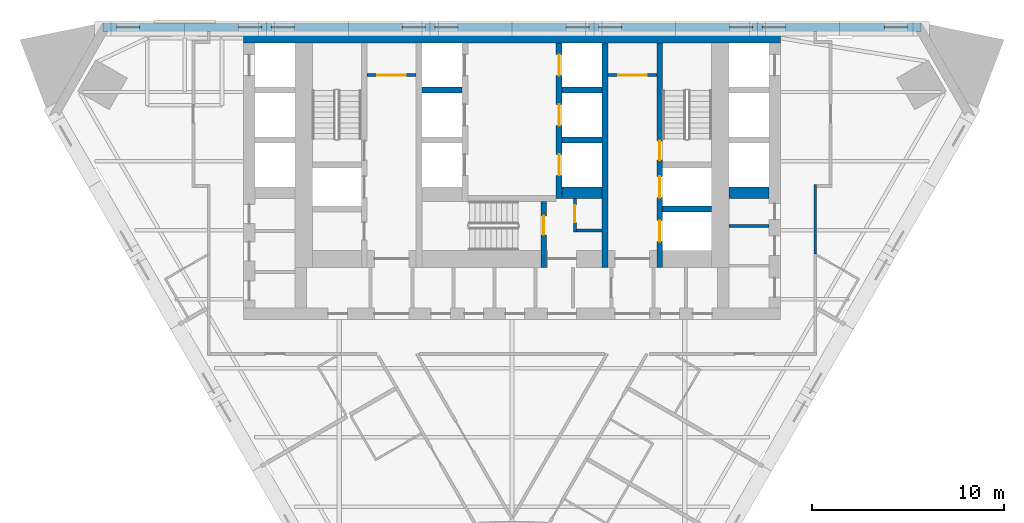
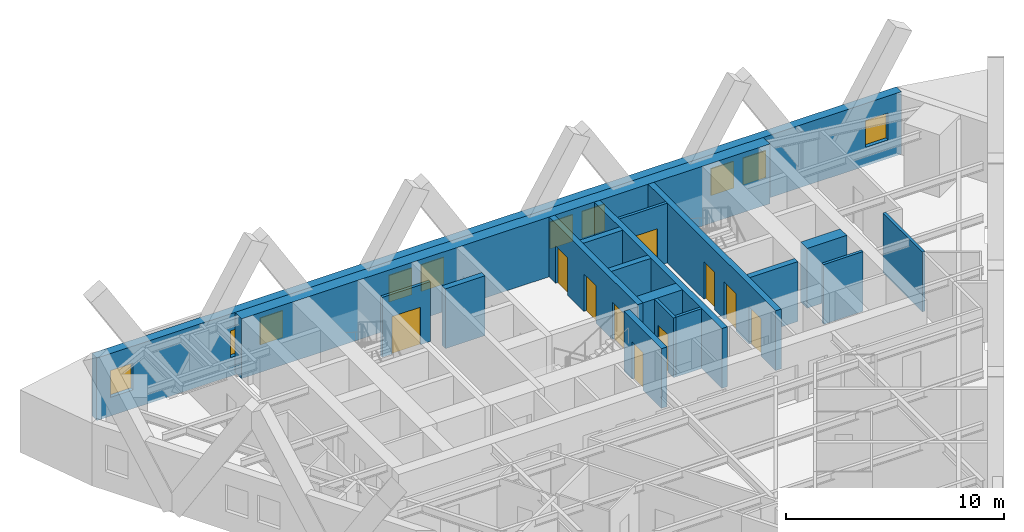
# One storey, part 6 of 8: 18 walls, 10 doors, 10 windows, 20 openings.
"""IFC4 building model written with IfcOpenShell, lengths in metres."""

from ifc_helpers import new_model, si_unit, direction, frame, frame_2d, origin, place, context, subcontext, project, spatial, polyline, rectangle, outline, extrude, material, layer, layer_set, type_object, element, fill, save


model = new_model("IFC4")

# Units and contexts
model_context = context("Model", 3, precision=1e-05, world=origin(), true_north=direction((0.0, 1.0)))
body_context = subcontext(model_context, "Body", "Model", "MODEL_VIEW")
ifc_project = project(units=[si_unit("LENGTHUNIT", "METRE"), si_unit("AREAUNIT", "SQUARE_METRE"), si_unit("VOLUMEUNIT", "CUBIC_METRE"), si_unit("PLANEANGLEUNIT", "RADIAN"), si_unit("MASSUNIT", "GRAM", prefix="KILO")], contexts=[model_context])

# Site, building, storey
site_placement = place(None, origin())
site = spatial("IfcSite", under=ifc_project, at=site_placement, CompositionType="ELEMENT")
building_placement = place(site_placement, origin())
building = spatial("IfcBuilding", under=site, at=building_placement, Name="Aloe Facet Convention Tower", CompositionType="ELEMENT")
storey_placement = place(building_placement, frame((0.0, 0.0, 88.800048828125)))
storey = spatial("IfcBuildingStorey", under=building, at=storey_placement, Name="L21", CompositionType="ELEMENT", Elevation=88.800048828125)

# Wall, opening, door
ifc_material_1 = material(Name="Concrete blockwork partition", Category="masonry")
ifc_layer_1 = layer(ifc_material_1, 0.14990234375)
ifc_layer_set_1 = layer_set([ifc_layer_1], Name="CR-W-PART150")
wall_type_1 = type_object("IfcWallType", Name="CR-W-PART150", PredefinedType="PARTITIONING", material=ifc_layer_set_1)
wall_1_placement = place(storey_placement, frame((72.449951171875, 132.27490234375, 0.0), z_axis=(0.0, 0.0, 1.0), x_axis=(1.0, 0.0, 0.0)))
wall_1 = element("IfcWall", 1, at=wall_1_placement, inside=storey, type_object=wall_type_1, Name="Core partition L21-015", PredefinedType="PARTITIONING", context=body_context, shape_type="SweptSolid", body=[
    extrude(rectangle(XDim=2.550048828125, YDim=0.14990234375, at=frame_2d((1.27490234375, 0.0))), origin(), (0.0, 0.0, 1.0), 3.349853515625),
])
opening_1_placement = place(wall_1_placement, frame((0.52490234375, 0.0, 0.0)))
opening_1 = element("IfcOpeningElement", 2, at=opening_1_placement, cuts=wall_1, Name="Opening L21-CD22", PredefinedType="OPENING", context=body_context, shape_type="SweptSolid", body=[
    extrude(rectangle(XDim=1.5, YDim=2.10009765625, at=frame_2d((0.75, 1.050048828125))), frame((0.0, 0.0849609375, 0.0), z_axis=(0.0, -1.0, 0.0), x_axis=(1.0, 0.0, 0.0)), (0.0, 0.0, 1.0), 0.169921875),
])
ifc_material_2 = material(Name="Steel fire-resisting door set FD60", Category="steel")
door_type_1 = type_object("IfcDoorType", Name="CR-D-REFUGE-1500-FD60-DD", OperationType="DOUBLE_DOOR_DOUBLE_SWING", PredefinedType="DOOR", material=ifc_material_2)
door_1_placement = place(opening_1_placement, origin())
door_1 = element("IfcDoor", 3, at=door_1_placement, inside=storey, type_object=door_type_1, Name="Core door L21-CD22", OperationType="DOUBLE_DOOR_DOUBLE_SWING", OverallHeight=2.10009765625, OverallWidth=1.5, PredefinedType="DOOR", context=body_context, shape_type="SweptSolid", body=[
    extrude(rectangle(XDim=1.5, YDim=2.10009765625, at=frame_2d((0.75, 1.050048828125))), frame((0.0, 0.02490234375, 0.0), z_axis=(0.0, -1.0, 0.0), x_axis=(1.0, 0.0, 0.0)), (0.0, 0.0, 1.0), 0.050048828125),
])
fill(opening_1, door_1)

wall_2_placement = place(storey_placement, frame((83.27490234375, 125.85009765625, 0.0), z_axis=(0.0, 0.0, 1.0), x_axis=(0.0, -1.0, 0.0)))
wall_2 = element("IfcWall", 4, at=wall_2_placement, inside=storey, type_object=wall_type_1, Name="Core partition L21-036", PredefinedType="PARTITIONING", context=body_context, shape_type="SweptSolid", body=[
    extrude(rectangle(XDim=1.75, YDim=0.14990234375, at=frame_2d((0.875, 0.0))), origin(), (0.0, 0.0, 1.0), 3.349853515625),
])
opening_2_placement = place(wall_2_placement, frame((0.35009765625, 0.0, 0.0)))
opening_2 = element("IfcOpeningElement", 5, at=opening_2_placement, cuts=wall_2, Name="Opening L21-CD20", PredefinedType="OPENING", context=body_context, shape_type="SweptSolid", body=[
    extrude(rectangle(XDim=0.89990234375, YDim=2.10009765625, at=frame_2d((0.449951171875, 1.050048828125))), frame((0.0, 0.0849609375, 0.0), z_axis=(0.0, -1.0, 0.0), x_axis=(1.0, 0.0, 0.0)), (0.0, 0.0, 1.0), 0.169921875),
])
ifc_material_3 = material(Name="Steel fire-resisting door set FD60", Category="steel")
door_type_2 = type_object("IfcDoorType", Name="CR-D-REFUGE-900-FD60-SRIGHT", OperationType="SINGLE_SWING_RIGHT", PredefinedType="DOOR", material=ifc_material_3)
door_2_placement = place(opening_2_placement, origin())
door_2 = element("IfcDoor", 6, at=door_2_placement, inside=storey, type_object=door_type_2, Name="Core door L21-CD20", OperationType="SINGLE_SWING_RIGHT", OverallHeight=2.10009765625, OverallWidth=0.89990234375, PredefinedType="DOOR", context=body_context, shape_type="SweptSolid", body=[
    extrude(rectangle(XDim=0.89990234375, YDim=2.10009765625, at=frame_2d((0.449951171875, 1.050048828125))), frame((0.0, 0.02490234375, 0.0), z_axis=(0.0, -1.0, 0.0), x_axis=(1.0, 0.0, 0.0)), (0.0, 0.0, 1.0), 0.050048828125),
])
fill(opening_2, door_2)

# Wall
wall_3_placement = place(storey_placement, frame((83.35009765625, 124.175048828125, 0.0), z_axis=(0.0, 0.0, 1.0), x_axis=(1.0, 0.0, 0.0)))
element("IfcWall", 7, at=wall_3_placement, inside=storey, type_object=wall_type_1, Name="Core partition L21-037", PredefinedType="PARTITIONING", context=body_context, shape_type="SweptSolid", body=[
    extrude(rectangle(XDim=1.349853515625, YDim=0.14990234375, at=frame_2d((0.6748046875, 0.0))), origin(), (0.0, 0.0, 1.0), 3.349853515625),
])

# Wall, opening, door
wall_4_placement = place(storey_placement, frame((85.0, 132.27490234375, 0.0), z_axis=(0.0, 0.0, 1.0), x_axis=(1.0, 0.0, 0.0)))
wall_4 = element("IfcWall", 8, at=wall_4_placement, inside=storey, type_object=wall_type_1, Name="Core partition L21-039", PredefinedType="PARTITIONING", context=body_context, shape_type="SweptSolid", body=[
    extrude(rectangle(XDim=2.550048828125, YDim=0.14990234375, at=frame_2d((1.27490234375, 0.0))), origin(), (0.0, 0.0, 1.0), 3.349853515625),
])
opening_3_placement = place(wall_4_placement, frame((0.52490234375, 0.0, 0.0)))
opening_3 = element("IfcOpeningElement", 9, at=opening_3_placement, cuts=wall_4, Name="Opening L21-CD21", PredefinedType="OPENING", context=body_context, shape_type="SweptSolid", body=[
    extrude(rectangle(XDim=1.5, YDim=2.10009765625, at=frame_2d((0.75, 1.050048828125))), frame((0.0, 0.0849609375, 0.0), z_axis=(0.0, -1.0, 0.0), x_axis=(1.0, 0.0, 0.0)), (0.0, 0.0, 1.0), 0.169921875),
])
door_3_placement = place(opening_3_placement, origin())
door_3 = element("IfcDoor", 10, at=door_3_placement, inside=storey, type_object=door_type_1, Name="Core door L21-CD21", OperationType="DOUBLE_DOOR_DOUBLE_SWING", OverallHeight=2.10009765625, OverallWidth=1.5, PredefinedType="DOOR", context=body_context, shape_type="SweptSolid", body=[
    extrude(rectangle(XDim=1.5, YDim=2.10009765625, at=frame_2d((0.75, 1.050048828125))), frame((0.0, 0.02490234375, 0.0), z_axis=(0.0, -1.0, 0.0), x_axis=(1.0, 0.0, 0.0)), (0.0, 0.0, 1.0), 0.050048828125),
])
fill(opening_3, door_3)

# Walls
wall_5_placement = place(storey_placement, frame((91.300048828125, 124.425048828125, 0.0), z_axis=(0.0, 0.0, 1.0), x_axis=(1.0, 0.0, 0.0)))
element("IfcWall", 11, at=wall_5_placement, inside=storey, type_object=wall_type_1, Name="Core partition L21-053", PredefinedType="PARTITIONING", context=body_context, shape_type="SweptSolid", body=[
    extrude(rectangle(XDim=2.099853515625, YDim=0.14990234375, at=frame_2d((1.0498046875, 0.0))), origin(), (0.0, 0.0, 1.0), 3.349853515625),
])
ifc_material_4 = material(Name="Concrete C70/85", Category="concrete")
ifc_layer_2 = layer(ifc_material_4, 0.300048828125)
ifc_layer_set_2 = layer_set([ifc_layer_2], Name="CR-W-RC300-C7085")
wall_type_2 = type_object("IfcWallType", Name="CR-W-RC300-C7085", PredefinedType="SOLIDWALL", material=ifc_layer_set_2)
wall_6_placement = place(storey_placement, frame((75.300048828125, 131.5, 0.0), z_axis=(0.0, 0.0, 1.0), x_axis=(1.0, 0.0, 0.0)))
element("IfcWall", 12, at=wall_6_placement, inside=storey, type_object=wall_type_2, Name="Core wall L21-020", PredefinedType="SOLIDWALL", context=body_context, shape_type="SweptSolid", body=[
    extrude(rectangle(XDim=2.099853515625, YDim=0.300048828125, at=frame_2d((1.0498046875, 0.0))), origin(), (0.0, 0.0, 1.0), 3.349853515625),
])

# Wall, opening, door
wall_7_placement = place(storey_placement, frame((81.64990234375, 125.699951171875, 0.0), z_axis=(0.0, 0.0, 1.0), x_axis=(0.0, -1.0, 0.0)))
wall_7 = element("IfcWall", 13, at=wall_7_placement, inside=storey, type_object=wall_type_2, Name="Core wall L21-029", PredefinedType="SOLIDWALL", context=body_context, shape_type="SweptSolid", body=[
    extrude(rectangle(XDim=3.449951171875, YDim=0.300048828125, at=frame_2d((1.72509765625, 0.0))), origin(), (0.0, 0.0, 1.0), 3.349853515625),
])
opening_4_placement = place(wall_7_placement, frame((0.75, 0.0, 0.0)))
opening_4 = element("IfcOpeningElement", 14, at=opening_4_placement, cuts=wall_7, Name="Opening L21-CD33", PredefinedType="OPENING", context=body_context, shape_type="SweptSolid", body=[
    extrude(rectangle(XDim=1.0, YDim=2.10009765625, at=frame_2d((0.5, 1.050048828125))), frame((0.0, 0.16015625, 0.0), z_axis=(0.0, -1.0, 0.0), x_axis=(1.0, 0.0, 0.0)), (0.0, 0.0, 1.0), 0.320068359375),
])
ifc_material_5 = material(Name="Steel fire-resisting door set FD120", Category="steel")
door_type_3 = type_object("IfcDoorType", Name="CR-D-STAIR-1000-FD120-SLEFT", OperationType="SINGLE_SWING_LEFT", PredefinedType="DOOR", material=ifc_material_5)
door_4_placement = place(opening_4_placement, origin())
door_4 = element("IfcDoor", 15, at=door_4_placement, inside=storey, type_object=door_type_3, Name="Core door L21-CD33", OperationType="SINGLE_SWING_LEFT", OverallHeight=2.10009765625, OverallWidth=1.0, PredefinedType="DOOR", context=body_context, shape_type="SweptSolid", body=[
    extrude(rectangle(XDim=1.0, YDim=2.10009765625, at=frame_2d((0.5, 1.050048828125))), frame((0.0, 0.02490234375, 0.0), z_axis=(0.0, -1.0, 0.0), x_axis=(1.0, 0.0, 0.0)), (0.0, 0.0, 1.0), 0.050048828125),
])
fill(opening_4, door_4)

# Wall, openings, doors
wall_8_placement = place(storey_placement, frame((82.449951171875, 133.949951171875, 0.0), z_axis=(0.0, 0.0, 1.0), x_axis=(0.0, -1.0, 0.0)))
wall_8 = element("IfcWall", 16, at=wall_8_placement, inside=storey, type_object=wall_type_2, Name="Core wall L21-031", PredefinedType="SOLIDWALL", context=body_context, shape_type="SweptSolid", body=[
    extrude(rectangle(XDim=8.099853515625, YDim=0.300048828125, at=frame_2d((4.0498046875, 0.0))), origin(), (0.0, 0.0, 1.0), 3.349853515625),
])
opening_5_placement = place(wall_8_placement, frame((0.60009765625, 0.0, 0.0)))
opening_5 = element("IfcOpeningElement", 17, at=opening_5_placement, cuts=wall_8, Name="Opening LD-A4-L21", PredefinedType="OPENING", context=body_context, shape_type="SweptSolid", body=[
    extrude(rectangle(XDim=1.10009765625, YDim=2.10009765625, at=frame_2d((0.550048828125, 1.050048828125))), frame((0.0, 0.16015625, 0.0), z_axis=(0.0, -1.0, 0.0), x_axis=(1.0, 0.0, 0.0)), (0.0, 0.0, 1.0), 0.320068359375),
])
opening_6_placement = place(wall_8_placement, frame((3.199951171875, 0.0, 0.0)))
opening_6 = element("IfcOpeningElement", 18, at=opening_6_placement, cuts=wall_8, Name="Opening LD-A5-L21", PredefinedType="OPENING", context=body_context, shape_type="SweptSolid", body=[
    extrude(rectangle(XDim=1.10009765625, YDim=2.10009765625, at=frame_2d((0.550048828125, 1.050048828125))), frame((0.0, 0.16015625, 0.0), z_axis=(0.0, -1.0, 0.0), x_axis=(1.0, 0.0, 0.0)), (0.0, 0.0, 1.0), 0.320068359375),
])
opening_7_placement = place(wall_8_placement, frame((5.800048828125, 0.0, 0.0)))
opening_7 = element("IfcOpeningElement", 19, at=opening_7_placement, cuts=wall_8, Name="Opening LD-A6-L21", PredefinedType="OPENING", context=body_context, shape_type="SweptSolid", body=[
    extrude(rectangle(XDim=1.10009765625, YDim=2.10009765625, at=frame_2d((0.550048828125, 1.050048828125))), frame((0.0, 0.16015625, 0.0), z_axis=(0.0, -1.0, 0.0), x_axis=(1.0, 0.0, 0.0)), (0.0, 0.0, 1.0), 0.320068359375),
])
ifc_material_6 = material(Name="Stainless steel sliding landing door", Category="steel")
door_type_4 = type_object("IfcDoorType", Name="CR-LD-1100-FD60-_LEFT", OperationType="SLIDING_TO_LEFT", PredefinedType="DOOR", material=ifc_material_6)
door_5_placement = place(opening_5_placement, origin())
door_5 = element("IfcDoor", 20, at=door_5_placement, inside=storey, type_object=door_type_4, Name="Landing door A4 L21", OperationType="SLIDING_TO_LEFT", OverallHeight=2.10009765625, OverallWidth=1.10009765625, PredefinedType="DOOR", context=body_context, shape_type="SweptSolid", body=[
    extrude(rectangle(XDim=1.10009765625, YDim=2.10009765625, at=frame_2d((0.550048828125, 1.050048828125))), frame((0.0, 0.02490234375, 0.0), z_axis=(0.0, -1.0, 0.0), x_axis=(1.0, 0.0, 0.0)), (0.0, 0.0, 1.0), 0.050048828125),
])
fill(opening_5, door_5)
door_6_placement = place(opening_6_placement, origin())
door_6 = element("IfcDoor", 21, at=door_6_placement, inside=storey, type_object=door_type_4, Name="Landing door A5 L21", OperationType="SLIDING_TO_LEFT", OverallHeight=2.10009765625, OverallWidth=1.10009765625, PredefinedType="DOOR", context=body_context, shape_type="SweptSolid", body=[
    extrude(rectangle(XDim=1.10009765625, YDim=2.10009765625, at=frame_2d((0.550048828125, 1.050048828125))), frame((0.0, 0.02490234375, 0.0), z_axis=(0.0, -1.0, 0.0), x_axis=(1.0, 0.0, 0.0)), (0.0, 0.0, 1.0), 0.050048828125),
])
fill(opening_6, door_6)
door_7_placement = place(opening_7_placement, origin())
door_7 = element("IfcDoor", 22, at=door_7_placement, inside=storey, type_object=door_type_4, Name="Landing door A6 L21", OperationType="SLIDING_TO_LEFT", OverallHeight=2.10009765625, OverallWidth=1.10009765625, PredefinedType="DOOR", context=body_context, shape_type="SweptSolid", body=[
    extrude(rectangle(XDim=1.10009765625, YDim=2.10009765625, at=frame_2d((0.550048828125, 1.050048828125))), frame((0.0, 0.02490234375, 0.0), z_axis=(0.0, -1.0, 0.0), x_axis=(1.0, 0.0, 0.0)), (0.0, 0.0, 1.0), 0.050048828125),
])
fill(opening_7, door_7)

# Walls
for number, where, z_axis, x_axis, name in (
    (23, (82.60009765625, 131.5, 0.0), (0.0, 0.0, 1.0), (1.0, 0.0, 0.0), "Core wall L21-032"),
    (24, (82.60009765625, 128.89990234375, 0.0), (0.0, 0.0, 1.0), (1.0, 0.0, 0.0), "Core wall L21-033"),
):
    element("IfcWall", number, at=place(storey_placement, frame(where, z_axis=z_axis, x_axis=x_axis)), inside=storey, type_object=wall_type_2, Name=name, PredefinedType="SOLIDWALL", context=body_context, shape_type="SweptSolid", body=[
        extrude(rectangle(XDim=2.099853515625, YDim=0.300048828125, at=frame_2d((1.0498046875, 0.0))), origin(), (0.0, 0.0, 1.0), 3.349853515625),
    ])
wall_9_placement = place(storey_placement, frame((84.85009765625, 133.949951171875, 0.0), z_axis=(0.0, 0.0, 1.0), x_axis=(0.0, -1.0, 0.0)))
element("IfcWall", 25, at=wall_9_placement, inside=storey, type_object=wall_type_2, Name="Core wall L21-038", PredefinedType="SOLIDWALL", context=body_context, shape_type="SweptSolid", body=[
    extrude(rectangle(XDim=11.699951171875, YDim=0.300048828125, at=frame_2d((5.85009765625, 0.0))), origin(), (0.0, 0.0, 1.0), 3.349853515625),
])

# Wall, openings, doors
wall_10_placement = place(storey_placement, frame((87.699951171875, 133.949951171875, 0.0), z_axis=(0.0, 0.0, 1.0), x_axis=(0.0, -1.0, 0.0)))
wall_10 = element("IfcWall", 26, at=wall_10_placement, inside=storey, type_object=wall_type_2, Name="Core wall L21-043", PredefinedType="SOLIDWALL", context=body_context, shape_type="SweptSolid", body=[
    extrude(rectangle(XDim=11.699951171875, YDim=0.300048828125, at=frame_2d((5.85009765625, 0.0))), origin(), (0.0, 0.0, 1.0), 3.349853515625),
])
opening_8_placement = place(wall_10_placement, frame((6.949951171875, 0.0, 0.0)))
opening_8 = element("IfcOpeningElement", 27, at=opening_8_placement, cuts=wall_10, Name="Opening LD-FF2-L21", PredefinedType="OPENING", context=body_context, shape_type="SweptSolid", body=[
    extrude(rectangle(XDim=1.10009765625, YDim=2.10009765625, at=frame_2d((0.550048828125, 1.050048828125))), frame((0.0, 0.16015625, 0.0), z_axis=(0.0, -1.0, 0.0), x_axis=(1.0, 0.0, 0.0)), (0.0, 0.0, 1.0), 0.320068359375),
])
opening_9_placement = place(wall_10_placement, frame((5.10009765625, 0.0, 0.0)))
opening_9 = element("IfcOpeningElement", 28, at=opening_9_placement, cuts=wall_10, Name="Opening L21-CD32", PredefinedType="OPENING", context=body_context, shape_type="SweptSolid", body=[
    extrude(rectangle(XDim=1.0, YDim=2.10009765625, at=frame_2d((0.5, 1.050048828125))), frame((0.0, 0.16015625, 0.0), z_axis=(0.0, -1.0, 0.0), x_axis=(1.0, 0.0, 0.0)), (0.0, 0.0, 1.0), 0.320068359375),
])
opening_10_placement = place(wall_10_placement, frame((9.25, 0.0, 0.0)))
opening_10 = element("IfcOpeningElement", 29, at=opening_10_placement, cuts=wall_10, Name="Opening LD-SV1-L21", PredefinedType="OPENING", context=body_context, shape_type="SweptSolid", body=[
    extrude(rectangle(XDim=1.10009765625, YDim=2.10009765625, at=frame_2d((0.550048828125, 1.050048828125))), frame((0.0, 0.16015625, 0.0), z_axis=(0.0, -1.0, 0.0), x_axis=(1.0, 0.0, 0.0)), (0.0, 0.0, 1.0), 0.320068359375),
])
door_8_placement = place(opening_9_placement, origin())
door_8 = element("IfcDoor", 30, at=door_8_placement, inside=storey, type_object=door_type_3, Name="Core door L21-CD32", OperationType="SINGLE_SWING_LEFT", OverallHeight=2.10009765625, OverallWidth=1.0, PredefinedType="DOOR", context=body_context, shape_type="SweptSolid", body=[
    extrude(rectangle(XDim=1.0, YDim=2.10009765625, at=frame_2d((0.5, 1.050048828125))), frame((0.0, 0.02490234375, 0.0), z_axis=(0.0, -1.0, 0.0), x_axis=(1.0, 0.0, 0.0)), (0.0, 0.0, 1.0), 0.050048828125),
])
fill(opening_9, door_8)
ifc_material_7 = material(Name="Stainless steel sliding landing door", Category="steel")
door_type_5 = type_object("IfcDoorType", Name="CR-LD-1100-FD120-_LEFT", OperationType="SLIDING_TO_LEFT", PredefinedType="DOOR", material=ifc_material_7)
door_9_placement = place(opening_8_placement, origin())
door_9 = element("IfcDoor", 31, at=door_9_placement, inside=storey, type_object=door_type_5, Name="Landing door FF2 L21", OperationType="SLIDING_TO_LEFT", OverallHeight=2.10009765625, OverallWidth=1.10009765625, PredefinedType="DOOR", context=body_context, shape_type="SweptSolid", body=[
    extrude(rectangle(XDim=1.10009765625, YDim=2.10009765625, at=frame_2d((0.550048828125, 1.050048828125))), frame((0.0, 0.02490234375, 0.0), z_axis=(0.0, -1.0, 0.0), x_axis=(1.0, 0.0, 0.0)), (0.0, 0.0, 1.0), 0.050048828125),
])
fill(opening_8, door_9)
door_10_placement = place(opening_10_placement, origin())
door_10 = element("IfcDoor", 32, at=door_10_placement, inside=storey, type_object=door_type_5, Name="Landing door SV1 L21", OperationType="SLIDING_TO_LEFT", OverallHeight=2.10009765625, OverallWidth=1.10009765625, PredefinedType="DOOR", context=body_context, shape_type="SweptSolid", body=[
    extrude(rectangle(XDim=1.10009765625, YDim=2.10009765625, at=frame_2d((0.550048828125, 1.050048828125))), frame((0.0, 0.02490234375, 0.0), z_axis=(0.0, -1.0, 0.0), x_axis=(1.0, 0.0, 0.0)), (0.0, 0.0, 1.0), 0.050048828125),
])
fill(opening_10, door_10)

# Walls
wall_11_placement = place(storey_placement, frame((87.85009765625, 125.300048828125, 0.0), z_axis=(0.0, 0.0, 1.0), x_axis=(1.0, 0.0, 0.0)))
element("IfcWall", 33, at=wall_11_placement, inside=storey, type_object=wall_type_2, Name="Core wall L21-045", PredefinedType="SOLIDWALL", context=body_context, shape_type="SweptSolid", body=[
    extrude(rectangle(XDim=2.5498046875, YDim=0.300048828125, at=frame_2d((1.27490234375, 0.0))), origin(), (0.0, 0.0, 1.0), 3.349853515625),
])
ifc_material_8 = material(Name="Concrete C70/85", Category="concrete")
ifc_layer_3 = layer(ifc_material_8, 0.60009765625)
ifc_layer_set_3 = layer_set([ifc_layer_3], Name="CR-W-RC600-C7085")
wall_type_3 = type_object("IfcWallType", Name="CR-W-RC600-C7085", PredefinedType="SOLIDWALL", material=ifc_layer_set_3)
wall_12_placement = place(storey_placement, frame((66.0, 134.25, 0.0), z_axis=(0.0, 0.0, 1.0), x_axis=(1.0, 0.0, 0.0)))
element("IfcWall", 34, at=wall_12_placement, inside=storey, type_object=wall_type_3, Name="Core wall L21-001", PredefinedType="SOLIDWALL", context=body_context, shape_type="SweptSolid", body=[
    extrude(rectangle(XDim=28.0, YDim=0.60009765625, at=frame_2d((14.0, 0.0))), origin(), (0.0, 0.0, 1.0), 3.349853515625),
])
for number, where, z_axis, x_axis, name in (
    (35, (82.60009765625, 126.14990234375, 0.0), (0.0, 0.0, 1.0), (1.0, 0.0, 0.0), "Core wall L21-034"),
    (36, (91.300048828125, 126.14990234375, 0.0), (0.0, 0.0, 1.0), (1.0, 0.0, 0.0), "Core wall L21-052"),
):
    element("IfcWall", number, at=place(storey_placement, frame(where, z_axis=z_axis, x_axis=x_axis)), inside=storey, type_object=wall_type_3, Name=name, PredefinedType="SOLIDWALL", context=body_context, shape_type="SweptSolid", body=[
        extrude(rectangle(XDim=2.099853515625, YDim=0.60009765625, at=frame_2d((1.0498046875, 0.0))), origin(), (0.0, 0.0, 1.0), 3.349853515625),
    ])

# Wall, openings, windows
ifc_material_9 = material(Name="Precast concrete C40/50", Category="concrete")
ifc_layer_4 = layer(ifc_material_9, 0.449951171875)
ifc_layer_set_4 = layer_set([ifc_layer_4], Name="EV-WALL-STONE")
wall_type_4 = type_object("IfcWallType", Name="EV-WALL-STONE", PredefinedType="SOLIDWALL", material=ifc_layer_set_4)
wall_13_placement = place(storey_placement, frame((101.321533203125, 134.77490234375, -0.150146484375), z_axis=(0.0, 0.0, 1.0), x_axis=(-1.0, 0.0, 0.0)))
wall_13 = element("IfcWall", 37, at=wall_13_placement, inside=storey, type_object=wall_type_4, Name="EW-L21-N01", PredefinedType="SOLIDWALL", context=body_context, shape_type="SweptSolid", body=[
    extrude(outline(polyline([(42.64306640625, 0.0), (42.64306640625, 3.5), (0.0, 3.5), (0.0, 0.0), (42.64306640625, 0.0)])), frame((0.0, 0.22509765625, 0.0), z_axis=(0.0, -1.0, 0.0), x_axis=(1.0, 0.0, 0.0)), (0.0, 0.0, 1.0), 0.449951171875),
])
opening_11_placement = place(wall_13_placement, frame((0.720458984375, 0.0, 1.050048828125)))
opening_11 = element("IfcOpeningElement", 38, at=opening_11_placement, cuts=wall_13, Name="Opening W-L21-N01", PredefinedType="OPENING", context=body_context, shape_type="SweptSolid", body=[
    extrude(rectangle(XDim=1.199951171875, YDim=1.5, at=frame_2d((0.60009765625, 0.75))), frame((0.0, 0.23486328125, 0.0), z_axis=(0.0, -1.0, 0.0), x_axis=(1.0, 0.0, 0.0)), (0.0, 0.0, 1.0), 0.469970703125),
])
opening_12_placement = place(wall_13_placement, frame((7.07861328125, 0.0, 1.050048828125)))
opening_12 = element("IfcOpeningElement", 39, at=opening_12_placement, cuts=wall_13, Name="Opening W-L21-N02", PredefinedType="OPENING", context=body_context, shape_type="SweptSolid", body=[
    extrude(rectangle(XDim=1.199951171875, YDim=1.5, at=frame_2d((0.60009765625, 0.75))), frame((0.0, 0.23486328125, 0.0), z_axis=(0.0, -1.0, 0.0), x_axis=(1.0, 0.0, 0.0)), (0.0, 0.0, 1.0), 0.469970703125),
])
opening_13_placement = place(wall_13_placement, frame((8.778564453125, 0.0, 1.050048828125)))
opening_13 = element("IfcOpeningElement", 40, at=opening_13_placement, cuts=wall_13, Name="Opening W-L21-N03", PredefinedType="OPENING", context=body_context, shape_type="SweptSolid", body=[
    extrude(rectangle(XDim=1.199951171875, YDim=1.5, at=frame_2d((0.60009765625, 0.75))), frame((0.0, 0.23486328125, 0.0), z_axis=(0.0, -1.0, 0.0), x_axis=(1.0, 0.0, 0.0)), (0.0, 0.0, 1.0), 0.469970703125),
])
opening_14_placement = place(wall_13_placement, frame((15.607177734375, 0.0, 1.050048828125)))
opening_14 = element("IfcOpeningElement", 41, at=opening_14_placement, cuts=wall_13, Name="Opening W-L21-N04", PredefinedType="OPENING", context=body_context, shape_type="SweptSolid", body=[
    extrude(rectangle(XDim=1.199951171875, YDim=1.5, at=frame_2d((0.60009765625, 0.75))), frame((0.0, 0.23486328125, 0.0), z_axis=(0.0, -1.0, 0.0), x_axis=(1.0, 0.0, 0.0)), (0.0, 0.0, 1.0), 0.469970703125),
])
opening_15_placement = place(wall_13_placement, frame((17.30712890625, 0.0, 1.050048828125)))
opening_15 = element("IfcOpeningElement", 42, at=opening_15_placement, cuts=wall_13, Name="Opening W-L21-N05", PredefinedType="OPENING", context=body_context, shape_type="SweptSolid", body=[
    extrude(rectangle(XDim=1.199951171875, YDim=1.5, at=frame_2d((0.60009765625, 0.75))), frame((0.0, 0.23486328125, 0.0), z_axis=(0.0, -1.0, 0.0), x_axis=(1.0, 0.0, 0.0)), (0.0, 0.0, 1.0), 0.469970703125),
])
opening_16_placement = place(wall_13_placement, frame((24.1357421875, 0.0, 1.050048828125)))
opening_16 = element("IfcOpeningElement", 43, at=opening_16_placement, cuts=wall_13, Name="Opening W-L21-N06", PredefinedType="OPENING", context=body_context, shape_type="SweptSolid", body=[
    extrude(rectangle(XDim=1.199951171875, YDim=1.5, at=frame_2d((0.60009765625, 0.75))), frame((0.0, 0.23486328125, 0.0), z_axis=(0.0, -1.0, 0.0), x_axis=(1.0, 0.0, 0.0)), (0.0, 0.0, 1.0), 0.469970703125),
])
opening_17_placement = place(wall_13_placement, frame((25.8359375, 0.0, 1.050048828125)))
opening_17 = element("IfcOpeningElement", 44, at=opening_17_placement, cuts=wall_13, Name="Opening W-L21-N07", PredefinedType="OPENING", context=body_context, shape_type="SweptSolid", body=[
    extrude(rectangle(XDim=1.199951171875, YDim=1.5, at=frame_2d((0.60009765625, 0.75))), frame((0.0, 0.23486328125, 0.0), z_axis=(0.0, -1.0, 0.0), x_axis=(1.0, 0.0, 0.0)), (0.0, 0.0, 1.0), 0.469970703125),
])
opening_18_placement = place(wall_13_placement, frame((32.66455078125, 0.0, 1.050048828125)))
opening_18 = element("IfcOpeningElement", 45, at=opening_18_placement, cuts=wall_13, Name="Opening W-L21-N08", PredefinedType="OPENING", context=body_context, shape_type="SweptSolid", body=[
    extrude(rectangle(XDim=1.199951171875, YDim=1.5, at=frame_2d((0.60009765625, 0.75))), frame((0.0, 0.23486328125, 0.0), z_axis=(0.0, -1.0, 0.0), x_axis=(1.0, 0.0, 0.0)), (0.0, 0.0, 1.0), 0.469970703125),
])
opening_19_placement = place(wall_13_placement, frame((34.364501953125, 0.0, 1.050048828125)))
opening_19 = element("IfcOpeningElement", 46, at=opening_19_placement, cuts=wall_13, Name="Opening W-L21-N09", PredefinedType="OPENING", context=body_context, shape_type="SweptSolid", body=[
    extrude(rectangle(XDim=1.199951171875, YDim=1.5, at=frame_2d((0.60009765625, 0.75))), frame((0.0, 0.23486328125, 0.0), z_axis=(0.0, -1.0, 0.0), x_axis=(1.0, 0.0, 0.0)), (0.0, 0.0, 1.0), 0.469970703125),
])
opening_20_placement = place(wall_13_placement, frame((40.722412109375, 0.0, 1.050048828125)))
opening_20 = element("IfcOpeningElement", 47, at=opening_20_placement, cuts=wall_13, Name="Opening W-L21-N10", PredefinedType="OPENING", context=body_context, shape_type="SweptSolid", body=[
    extrude(rectangle(XDim=1.199951171875, YDim=1.5, at=frame_2d((0.60009765625, 0.75))), frame((0.0, 0.23486328125, 0.0), z_axis=(0.0, -1.0, 0.0), x_axis=(1.0, 0.0, 0.0)), (0.0, 0.0, 1.0), 0.469970703125),
])
ifc_material_10 = material(Name="Aluminium frame, clear double glazing", Category="aluminium")
window_type = type_object("IfcWindowType", Name="EV-WIN-H12", PartitioningType="SINGLE_PANEL", PredefinedType="WINDOW", material=ifc_material_10)
window_1_placement = place(opening_11_placement, origin())
window_1 = element("IfcWindow", 48, at=window_1_placement, inside=storey, type_object=window_type, Name="W-L21-N01", OverallHeight=1.5, OverallWidth=1.199951171875, PartitioningType="SINGLE_PANEL", PredefinedType="WINDOW", context=body_context, shape_type="SweptSolid", body=[
    extrude(rectangle(XDim=1.199951171875, YDim=1.5, at=frame_2d((0.60009765625, 0.75))), frame((0.0, 0.030029296875, 0.0), z_axis=(0.0, -1.0, 0.0), x_axis=(1.0, 0.0, 0.0)), (0.0, 0.0, 1.0), 0.06005859375),
])
fill(opening_11, window_1)
window_2_placement = place(opening_12_placement, origin())
window_2 = element("IfcWindow", 49, at=window_2_placement, inside=storey, type_object=window_type, Name="W-L21-N02", OverallHeight=1.5, OverallWidth=1.199951171875, PartitioningType="SINGLE_PANEL", PredefinedType="WINDOW", context=body_context, shape_type="SweptSolid", body=[
    extrude(rectangle(XDim=1.199951171875, YDim=1.5, at=frame_2d((0.60009765625, 0.75))), frame((0.0, 0.030029296875, 0.0), z_axis=(0.0, -1.0, 0.0), x_axis=(1.0, 0.0, 0.0)), (0.0, 0.0, 1.0), 0.06005859375),
])
fill(opening_12, window_2)
window_3_placement = place(opening_13_placement, origin())
window_3 = element("IfcWindow", 50, at=window_3_placement, inside=storey, type_object=window_type, Name="W-L21-N03", OverallHeight=1.5, OverallWidth=1.199951171875, PartitioningType="SINGLE_PANEL", PredefinedType="WINDOW", context=body_context, shape_type="SweptSolid", body=[
    extrude(rectangle(XDim=1.199951171875, YDim=1.5, at=frame_2d((0.60009765625, 0.75))), frame((0.0, 0.030029296875, 0.0), z_axis=(0.0, -1.0, 0.0), x_axis=(1.0, 0.0, 0.0)), (0.0, 0.0, 1.0), 0.06005859375),
])
fill(opening_13, window_3)
window_4_placement = place(opening_14_placement, origin())
window_4 = element("IfcWindow", 51, at=window_4_placement, inside=storey, type_object=window_type, Name="W-L21-N04", OverallHeight=1.5, OverallWidth=1.199951171875, PartitioningType="SINGLE_PANEL", PredefinedType="WINDOW", context=body_context, shape_type="SweptSolid", body=[
    extrude(rectangle(XDim=1.199951171875, YDim=1.5, at=frame_2d((0.60009765625, 0.75))), frame((0.0, 0.030029296875, 0.0), z_axis=(0.0, -1.0, 0.0), x_axis=(1.0, 0.0, 0.0)), (0.0, 0.0, 1.0), 0.06005859375),
])
fill(opening_14, window_4)
window_5_placement = place(opening_15_placement, origin())
window_5 = element("IfcWindow", 52, at=window_5_placement, inside=storey, type_object=window_type, Name="W-L21-N05", OverallHeight=1.5, OverallWidth=1.199951171875, PartitioningType="SINGLE_PANEL", PredefinedType="WINDOW", context=body_context, shape_type="SweptSolid", body=[
    extrude(rectangle(XDim=1.199951171875, YDim=1.5, at=frame_2d((0.60009765625, 0.75))), frame((0.0, 0.030029296875, 0.0), z_axis=(0.0, -1.0, 0.0), x_axis=(1.0, 0.0, 0.0)), (0.0, 0.0, 1.0), 0.06005859375),
])
fill(opening_15, window_5)
window_6_placement = place(opening_16_placement, origin())
window_6 = element("IfcWindow", 53, at=window_6_placement, inside=storey, type_object=window_type, Name="W-L21-N06", OverallHeight=1.5, OverallWidth=1.199951171875, PartitioningType="SINGLE_PANEL", PredefinedType="WINDOW", context=body_context, shape_type="SweptSolid", body=[
    extrude(rectangle(XDim=1.199951171875, YDim=1.5, at=frame_2d((0.60009765625, 0.75))), frame((0.0, 0.030029296875, 0.0), z_axis=(0.0, -1.0, 0.0), x_axis=(1.0, 0.0, 0.0)), (0.0, 0.0, 1.0), 0.06005859375),
])
fill(opening_16, window_6)
window_7_placement = place(opening_17_placement, origin())
window_7 = element("IfcWindow", 54, at=window_7_placement, inside=storey, type_object=window_type, Name="W-L21-N07", OverallHeight=1.5, OverallWidth=1.199951171875, PartitioningType="SINGLE_PANEL", PredefinedType="WINDOW", context=body_context, shape_type="SweptSolid", body=[
    extrude(rectangle(XDim=1.199951171875, YDim=1.5, at=frame_2d((0.60009765625, 0.75))), frame((0.0, 0.030029296875, 0.0), z_axis=(0.0, -1.0, 0.0), x_axis=(1.0, 0.0, 0.0)), (0.0, 0.0, 1.0), 0.06005859375),
])
fill(opening_17, window_7)
window_8_placement = place(opening_18_placement, origin())
window_8 = element("IfcWindow", 55, at=window_8_placement, inside=storey, type_object=window_type, Name="W-L21-N08", OverallHeight=1.5, OverallWidth=1.199951171875, PartitioningType="SINGLE_PANEL", PredefinedType="WINDOW", context=body_context, shape_type="SweptSolid", body=[
    extrude(rectangle(XDim=1.199951171875, YDim=1.5, at=frame_2d((0.60009765625, 0.75))), frame((0.0, 0.030029296875, 0.0), z_axis=(0.0, -1.0, 0.0), x_axis=(1.0, 0.0, 0.0)), (0.0, 0.0, 1.0), 0.06005859375),
])
fill(opening_18, window_8)
window_9_placement = place(opening_19_placement, origin())
window_9 = element("IfcWindow", 56, at=window_9_placement, inside=storey, type_object=window_type, Name="W-L21-N09", OverallHeight=1.5, OverallWidth=1.199951171875, PartitioningType="SINGLE_PANEL", PredefinedType="WINDOW", context=body_context, shape_type="SweptSolid", body=[
    extrude(rectangle(XDim=1.199951171875, YDim=1.5, at=frame_2d((0.60009765625, 0.75))), frame((0.0, 0.030029296875, 0.0), z_axis=(0.0, -1.0, 0.0), x_axis=(1.0, 0.0, 0.0)), (0.0, 0.0, 1.0), 0.06005859375),
])
fill(opening_19, window_9)
window_10_placement = place(opening_20_placement, origin())
window_10 = element("IfcWindow", 57, at=window_10_placement, inside=storey, type_object=window_type, Name="W-L21-N10", OverallHeight=1.5, OverallWidth=1.199951171875, PartitioningType="SINGLE_PANEL", PredefinedType="WINDOW", context=body_context, shape_type="SweptSolid", body=[
    extrude(rectangle(XDim=1.199951171875, YDim=1.5, at=frame_2d((0.60009765625, 0.75))), frame((0.0, 0.030029296875, 0.0), z_axis=(0.0, -1.0, 0.0), x_axis=(1.0, 0.0, 0.0)), (0.0, 0.0, 1.0), 0.06005859375),
])
fill(opening_20, window_10)

# Wall
ifc_material_11 = material(Name="Gypsum board partition on steel studs", Category="steel")
ifc_layer_5 = layer(ifc_material_11, 0.14990234375)
ifc_layer_set_5 = layer_set([ifc_layer_5], Name="IN-W-CORR")
wall_type_5 = type_object("IfcWallType", Name="IN-W-CORR", PredefinedType="PARTITIONING", material=ifc_layer_set_5)
wall_14_placement = place(storey_placement, frame((95.800048828125, 122.9541015625, 0.0), z_axis=(0.0, 0.0, 1.0), x_axis=(0.0, 1.0, 0.0)))
element("IfcWall", 58, at=wall_14_placement, inside=storey, type_object=wall_type_5, Name="Partition L21-W063", PredefinedType="PARTITIONING", context=body_context, shape_type="SweptSolid", body=[
    extrude(rectangle(XDim=3.620849609375, YDim=0.14990234375, at=frame_2d((1.810546875, 0.0))), origin(), (0.0, 0.0, 1.0), 3.349853515625),
])

save(model, "model.ifc")
